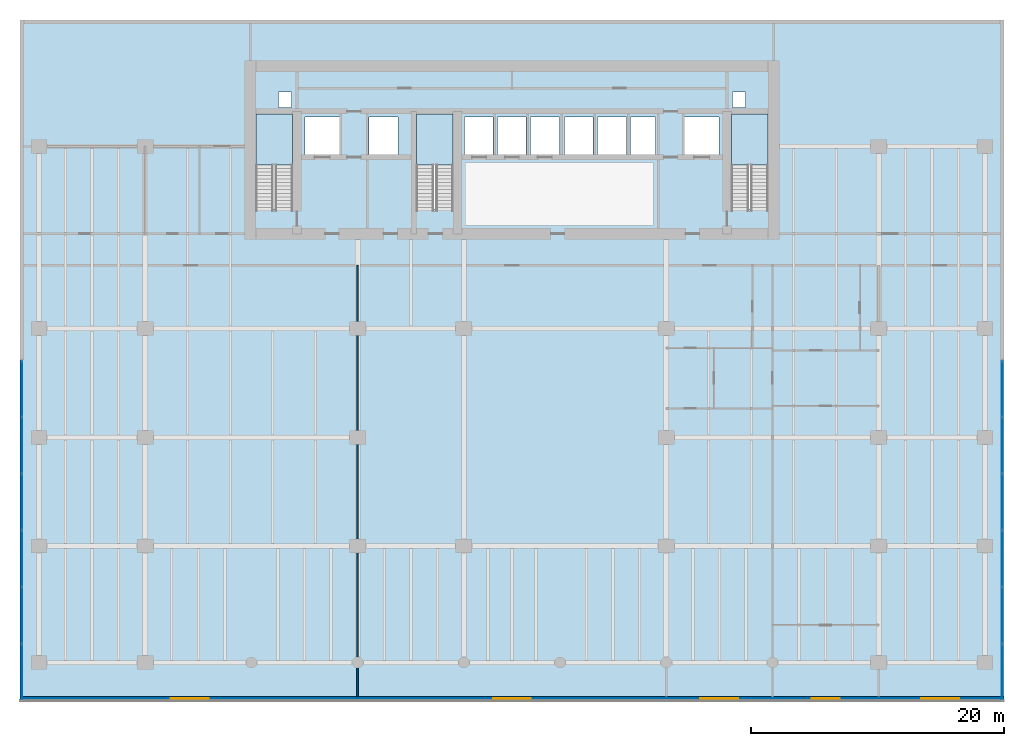
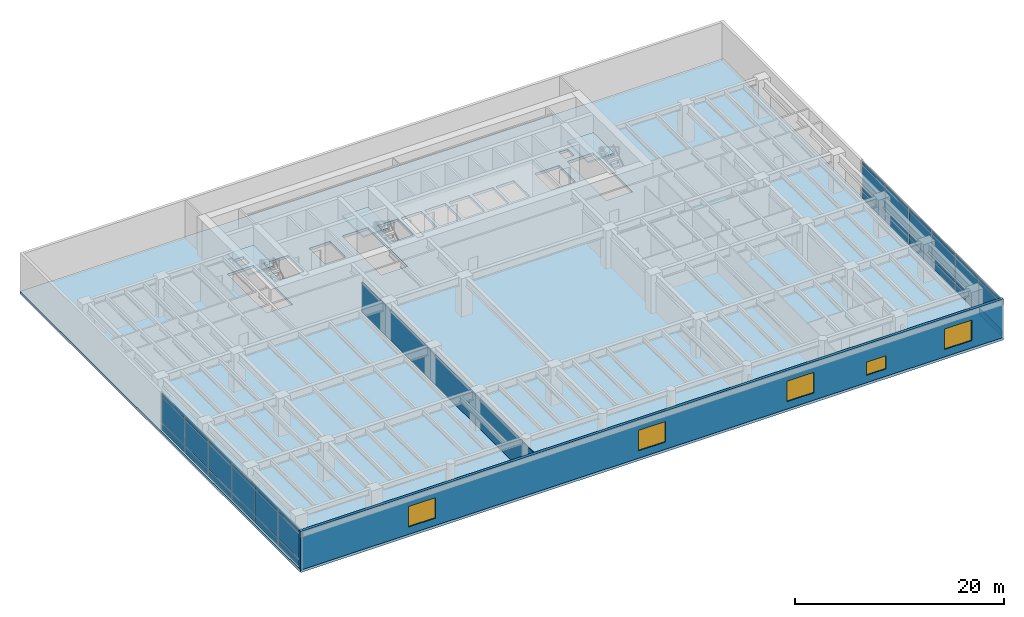
# One storey, part 5 of 13: 36 plates, 5 windows, 4 slabs, 2 walls, 5 openings, 5 elements without a shape of their own.
"""IFC4 building model written with IfcOpenShell, lengths in metres."""

import ifcopenshell
import ifcopenshell.guid

model = None  # the IFC model being written
_history = None  # IfcOwnerHistory: only IFC2X3 demands one
_inside = {}  # id of a spatial element -> (the spatial element, [elements in it])
_under = {}  # id of a project, library or spatial element -> (it, [spatial elements below it])
_declared = {}  # id of a project -> (the project, [libraries it declares])
_typed = {}  # id of a type object -> (the type object, [elements of that type])
_made_of = {}  # id of a material, layer set ... -> (it, [elements and type objects made of it])


def new_model(schema):
    """Start an empty IFC model of exactly this schema.

    Asked for "IFC4X3", IfcOpenShell would pick the latest addendum, in which some entities
    have other attributes; the version numbers below select the first issue.
    IFC2X3 requires an IfcOwnerHistory on every rooted entity: one is made here for all.
    """
    global model, _history
    if schema == "IFC4X3":
        model = ifcopenshell.file(schema_version=(4, 3, 0, 0))
    else:
        model = ifcopenshell.file(schema=schema)
    _inside.clear()
    _under.clear()
    _declared.clear()
    _typed.clear()
    _made_of.clear()
    _history = None
    if model.schema == "IFC2X3":
        org = make("IfcOrganization", Name="unknown")
        user = make(
            "IfcPersonAndOrganization",
            ThePerson=make("IfcPerson", FamilyName="unknown"),
            TheOrganization=org,
        )
        app = make(
            "IfcApplication",
            ApplicationDeveloper=org,
            Version="unknown",
            ApplicationFullName="unknown",
            ApplicationIdentifier="unknown",
        )
        _history = make(
            "IfcOwnerHistory",
            OwningUser=user,
            OwningApplication=app,
            ChangeAction="ADDED",
            CreationDate=0,
        )
    return model


def make(cls, **values):
    """One entity of the class cls with the attributes given. An attribute that is None is left unset."""
    return model.create_entity(
        cls, **{name: value for name, value in values.items() if value is not None}
    )


def rooted(cls, **values):
    """An entity with a GlobalId (a new one), such as an element, a storey or a relation."""
    return make(cls, GlobalId=ifcopenshell.guid.new(), OwnerHistory=_history, **values)


def si_unit(unit_type, name, prefix=None):
    """IfcSIUnit, for example si_unit("LENGTHUNIT", "METRE", prefix="MILLI")."""
    return make("IfcSIUnit", UnitType=unit_type, Prefix=prefix, Name=name)


def assignment(units):
    """IfcUnitAssignment: the units of a project."""
    return None if units is None else make("IfcUnitAssignment", Units=units)


def point(xyz):
    """IfcCartesianPoint."""
    return None if xyz is None else make("IfcCartesianPoint", Coordinates=xyz)


def direction(xyz):
    """IfcDirection."""
    return None if xyz is None else make("IfcDirection", DirectionRatios=xyz)


def frame(location, z_axis=None, x_axis=None):
    """IfcAxis2Placement3D, a coordinate frame: its origin and axes. An axis left out is left unset."""
    return make(
        "IfcAxis2Placement3D",
        Location=point(location),
        Axis=direction(z_axis),
        RefDirection=direction(x_axis),
    )


def frame_2d(location, x_axis=None):
    """IfcAxis2Placement2D, a coordinate frame in the plane: its origin and x axis."""
    return make(
        "IfcAxis2Placement2D", Location=point(location), RefDirection=direction(x_axis)
    )


def origin():
    """The frame at (0, 0, 0) with its axes left unset."""
    return frame((0.0, 0.0, 0.0))


def origin_2d():
    """The frame at (0, 0) in the plane with its x axis left unset."""
    return frame_2d((0.0, 0.0))


def place(relative_to, where):
    """IfcLocalPlacement: puts the frame where relative to a parent placement (None: the world)."""
    return make(
        "IfcLocalPlacement", PlacementRelTo=relative_to, RelativePlacement=where
    )


def context(
    kind, dimensions, precision=None, world=None, true_north=None, identifier=None
):
    """IfcGeometricRepresentationContext, for example the 3D "Model" context."""
    return make(
        "IfcGeometricRepresentationContext",
        ContextIdentifier=identifier,
        ContextType=kind,
        CoordinateSpaceDimension=dimensions,
        Precision=precision,
        WorldCoordinateSystem=world,
        TrueNorth=true_north,
    )


def subcontext(parent, identifier, kind, view, scale=None):
    """IfcGeometricRepresentationSubContext, for example "Body" below "Model"."""
    return make(
        "IfcGeometricRepresentationSubContext",
        ContextIdentifier=identifier,
        ContextType=kind,
        ParentContext=parent,
        TargetScale=scale,
        TargetView=view,
    )


def project(units=None, contexts=None):
    """IfcProject with its units and contexts."""
    return rooted(
        "IfcProject",
        Name="project",
        RepresentationContexts=contexts,
        UnitsInContext=assignment(units),
    )


def spatial(cls, under=None, at=None, **own):
    """A site, building, storey or space (cls), placed at a placement, below another one or the project."""
    s = rooted(cls, ObjectPlacement=at, **own)
    if under is not None:
        _under.setdefault(under.id(), (under, []))[1].append(s)
    return s


def polyline(points):
    """IfcPolyline through the points."""
    return make("IfcPolyline", Points=[point(p) for p in points])


def profile(cls, at=None, kind="AREA", **sizes):
    """A parametric profile (cls). Its sizes go by their IFC names, for example OverallWidth=200.0."""
    return make(cls, ProfileType=kind, Position=at, **sizes)


def rectangle(**sizes):
    """IfcRectangleProfileDef."""
    return profile("IfcRectangleProfileDef", **sizes)


def outline(outer, holes=None, kind="AREA"):
    """IfcArbitraryClosedProfileDef: a profile drawn as a closed curve; with holes, ...WithVoids."""
    if holes is None:
        return make("IfcArbitraryClosedProfileDef", ProfileType=kind, OuterCurve=outer)
    return make(
        "IfcArbitraryProfileDefWithVoids",
        ProfileType=kind,
        OuterCurve=outer,
        InnerCurves=holes,
    )


def extrude(swept, where, along, depth):
    """IfcExtrudedAreaSolid: the profile swept, set in the frame where, extruded along a direction by depth."""
    return make(
        "IfcExtrudedAreaSolid",
        SweptArea=swept,
        Position=where,
        ExtrudedDirection=direction(along),
        Depth=depth,
    )


def shape(context_of_items, identifier, shape_type, items):
    """IfcShapeRepresentation: the items that make up one representation, for example the "Body"."""
    return make(
        "IfcShapeRepresentation",
        ContextOfItems=context_of_items,
        RepresentationIdentifier=identifier,
        RepresentationType=shape_type,
        Items=items,
    )


def material(Name=None, Category=None):
    """IfcMaterial."""
    return make("IfcMaterial", Name=Name, Category=Category)


def layer(
    of_material, thickness, ventilated=None, Name=None, Category=None, Priority=None
):
    """IfcMaterialLayer: one layer of a wall or slab, of a material (None: an air gap)."""
    return make(
        "IfcMaterialLayer",
        Material=of_material,
        LayerThickness=thickness,
        IsVentilated=ventilated,
        Name=Name,
        Category=Category,
        Priority=Priority,
    )


def layer_set(layers, Name=None):
    """IfcMaterialLayerSet."""
    return make("IfcMaterialLayerSet", MaterialLayers=layers, LayerSetName=Name)


def made_of(thing, what):
    """Note that an element or type object is made of a material, layer set ...; save() writes the relation."""
    if what is not None:
        _made_of.setdefault(what.id(), (what, []))[1].append(thing)
    return thing


def type_object(cls, material=None, **own):
    """A type object (cls), such as IfcWallType, which elements share."""
    return made_of(rooted(cls, **own), material)


def element(
    cls,
    number,
    at=None,
    inside=None,
    cuts=None,
    type_object=None,
    material=None,
    context=None,
    identifier="Body",
    shape_type=None,
    held_by="IfcProductDefinitionShape",
    body=None,
    shapes=None,
    **own,
):
    """One element of the class cls, such as IfcWall. Its Tag is "e" and its number.

    at: its placement. inside: the storey or other place that contains it. cuts: it is an
    opening in that element (IfcRelVoidsElement). A single representation is given by context,
    identifier, shape_type and body (its items); several are given by shapes. held_by: the class
    of the entity that holds the representations. save() writes the other relations.
    """
    e = rooted(cls, Tag="e%d" % number, ObjectPlacement=at, **own)
    if body is not None:
        shapes = [shape(context, identifier, shape_type, body)]
    if shapes is not None:
        e.Representation = make(held_by, Representations=shapes)
    if inside is not None:
        _inside.setdefault(inside.id(), (inside, []))[1].append(e)
    if cuts is not None:
        rooted(
            "IfcRelVoidsElement", RelatingBuildingElement=cuts, RelatedOpeningElement=e
        )
    if type_object is not None:
        _typed.setdefault(type_object.id(), (type_object, []))[1].append(e)
    return made_of(e, material)


def fill(opening, filler):
    """IfcRelFillsElement: the door or window that sits in an opening."""
    return rooted(
        "IfcRelFillsElement",
        RelatingOpeningElement=opening,
        RelatedBuildingElement=filler,
    )


def aggregate(whole, parts):
    """IfcRelAggregates: a whole, such as a stair, and the parts it consists of."""
    return rooted("IfcRelAggregates", RelatingObject=whole, RelatedObjects=parts)


def save(model, path):
    """Write the relations noted so far, then the file.

    IfcRelAggregates (storeys below a building ...), IfcRelContainedInSpatialStructure (elements
    in a storey), IfcRelDefinesByType, IfcRelAssociatesMaterial and IfcRelDeclares: one each for
    every whole, place, type object, material and project.
    """
    for whole, parts in _under.values():
        aggregate(whole, parts)
    for where, things in _inside.values():
        rooted(
            "IfcRelContainedInSpatialStructure",
            RelatedElements=things,
            RelatingStructure=where,
        )
    for kind, things in _typed.values():
        rooted("IfcRelDefinesByType", RelatedObjects=things, RelatingType=kind)
    for what, things in _made_of.values():
        rooted("IfcRelAssociatesMaterial", RelatedObjects=things, RelatingMaterial=what)
    for by, libraries in _declared.values():
        rooted("IfcRelDeclares", RelatingContext=by, RelatedDefinitions=libraries)
    model.write(path)


model = new_model("IFC4")

# Units and contexts
model_context = context("Model", 3, precision=1e-05, world=origin(), true_north=direction((0.0, 1.0)))
body_context = subcontext(model_context, "Body", "Model", "MODEL_VIEW")
ifc_project = project(units=[si_unit("LENGTHUNIT", "METRE"), si_unit("AREAUNIT", "SQUARE_METRE"), si_unit("VOLUMEUNIT", "CUBIC_METRE"), si_unit("PLANEANGLEUNIT", "RADIAN"), si_unit("MASSUNIT", "GRAM", prefix="KILO")], contexts=[model_context])

# Site, building, storey
site_placement = place(None, origin())
site = spatial("IfcSite", under=ifc_project, at=site_placement, CompositionType="ELEMENT")
building_placement = place(site_placement, origin())
building = spatial("IfcBuilding", under=site, at=building_placement, Name="Caelmar Bay Residences", CompositionType="ELEMENT")
storey_placement = place(building_placement, frame((0.0, 0.0, 5.39990234375)))
storey = spatial("IfcBuildingStorey", under=building, at=storey_placement, Name="L01", CompositionType="ELEMENT", Elevation=5.39990234375)

# Curtain wall, plates
ifc_material_1 = material(Name="Anodised bronze aluminium 6063-T6 and laminated glass", Category="aluminium")
ifc_layer_1 = layer(ifc_material_1, 0.179931640625)
ifc_layer_set_1 = layer_set([ifc_layer_1], Name="Anodised bronze aluminium 6063-T6 and laminated glass")
curtain_wall_type = type_object("IfcCurtainWallType", Name="CW1-POD", PredefinedType="NOTDEFINED", material=ifc_layer_set_1)
curtain_wall_1_placement = place(storey_placement, origin())
curtain_wall_1 = element("IfcCurtainWall", 1, at=curtain_wall_1_placement, inside=storey, type_object=curtain_wall_type, Name="CW1 curtain wall L01", PredefinedType="NOTDEFINED")
ifc_material_2 = material(Name="Bronze-tinted laminated low-E hurricane glass 32 mm", Category="glass")
ifc_layer_2 = layer(ifc_material_2, 0.031982421875)
ifc_layer_set_2 = layer_set([ifc_layer_2], Name="Bronze-tinted laminated low-E hurricane glass 32 mm")
plate_type = type_object("IfcPlateType", Name="CWP-GLZ32", PredefinedType="CURTAIN_PANEL", material=ifc_layer_set_2)
plate_1_placement = place(storey_placement, frame((0.14990234375, 2.26171875, 0.080078125), z_axis=(0.0, 0.0, 1.0), x_axis=(0.0, 1.0, 0.0)))
plate_1 = element("IfcPlate", 2, at=plate_1_placement, type_object=plate_type, Name="CW1 panel 1.1", PredefinedType="CURTAIN_PANEL", context=body_context, shape_type="SweptSolid", body=[
    extrude(rectangle(XDim=4.36328125, YDim=0.031982421875, at=origin_2d()), origin(), (0.0, 0.0, 1.0), 0.780029296875),
])
plate_2_placement = place(storey_placement, frame((0.14990234375, 2.26171875, 0.93994140625), z_axis=(0.0, 0.0, 1.0), x_axis=(0.0, 1.0, 0.0)))
plate_2 = element("IfcPlate", 3, at=plate_2_placement, type_object=plate_type, Name="CW1 panel 1.2", PredefinedType="CURTAIN_PANEL", context=body_context, shape_type="SweptSolid", body=[
    extrude(rectangle(XDim=4.36328125, YDim=0.031982421875, at=origin_2d()), origin(), (0.0, 0.0, 1.0), 2.969970703125),
])
plate_3_placement = place(storey_placement, frame((0.14990234375, 2.26171875, 3.990234375), z_axis=(0.0, 0.0, 1.0), x_axis=(0.0, 1.0, 0.0)))
plate_3 = element("IfcPlate", 4, at=plate_3_placement, type_object=plate_type, Name="CW1 panel 1.3", PredefinedType="CURTAIN_PANEL", context=body_context, shape_type="SweptSolid", body=[
    extrude(rectangle(XDim=4.36328125, YDim=0.031982421875, at=origin_2d()), origin(), (0.0, 0.0, 1.0), 0.429931640625),
])
plate_4_placement = place(storey_placement, frame((0.14990234375, 6.72509765625, 0.080078125), z_axis=(0.0, 0.0, 1.0), x_axis=(0.0, 1.0, 0.0)))
plate_4 = element("IfcPlate", 5, at=plate_4_placement, type_object=plate_type, Name="CW1 panel 2.1", PredefinedType="CURTAIN_PANEL", context=body_context, shape_type="SweptSolid", body=[
    extrude(rectangle(XDim=4.4033203125, YDim=0.031982421875, at=origin_2d()), origin(), (0.0, 0.0, 1.0), 0.780029296875),
])
plate_5_placement = place(storey_placement, frame((0.14990234375, 6.72509765625, 0.93994140625), z_axis=(0.0, 0.0, 1.0), x_axis=(0.0, 1.0, 0.0)))
plate_5 = element("IfcPlate", 6, at=plate_5_placement, type_object=plate_type, Name="CW1 panel 2.2", PredefinedType="CURTAIN_PANEL", context=body_context, shape_type="SweptSolid", body=[
    extrude(rectangle(XDim=4.4033203125, YDim=0.031982421875, at=origin_2d()), origin(), (0.0, 0.0, 1.0), 2.969970703125),
])
plate_6_placement = place(storey_placement, frame((0.14990234375, 6.72509765625, 3.990234375), z_axis=(0.0, 0.0, 1.0), x_axis=(0.0, 1.0, 0.0)))
plate_6 = element("IfcPlate", 7, at=plate_6_placement, type_object=plate_type, Name="CW1 panel 2.3", PredefinedType="CURTAIN_PANEL", context=body_context, shape_type="SweptSolid", body=[
    extrude(rectangle(XDim=4.4033203125, YDim=0.031982421875, at=origin_2d()), origin(), (0.0, 0.0, 1.0), 0.429931640625),
])
plate_7_placement = place(storey_placement, frame((0.14990234375, 11.208251953125, 0.080078125), z_axis=(0.0, 0.0, 1.0), x_axis=(0.0, 1.0, 0.0)))
plate_7 = element("IfcPlate", 8, at=plate_7_placement, type_object=plate_type, Name="CW1 panel 3.1", PredefinedType="CURTAIN_PANEL", context=body_context, shape_type="SweptSolid", body=[
    extrude(rectangle(XDim=4.4033203125, YDim=0.031982421875, at=origin_2d()), origin(), (0.0, 0.0, 1.0), 0.780029296875),
])
plate_8_placement = place(storey_placement, frame((0.14990234375, 11.208251953125, 0.93994140625), z_axis=(0.0, 0.0, 1.0), x_axis=(0.0, 1.0, 0.0)))
plate_8 = element("IfcPlate", 9, at=plate_8_placement, type_object=plate_type, Name="CW1 panel 3.2", PredefinedType="CURTAIN_PANEL", context=body_context, shape_type="SweptSolid", body=[
    extrude(rectangle(XDim=4.4033203125, YDim=0.031982421875, at=origin_2d()), origin(), (0.0, 0.0, 1.0), 2.969970703125),
])
plate_9_placement = place(storey_placement, frame((0.14990234375, 11.208251953125, 3.990234375), z_axis=(0.0, 0.0, 1.0), x_axis=(0.0, 1.0, 0.0)))
plate_9 = element("IfcPlate", 10, at=plate_9_placement, type_object=plate_type, Name="CW1 panel 3.3", PredefinedType="CURTAIN_PANEL", context=body_context, shape_type="SweptSolid", body=[
    extrude(rectangle(XDim=4.4033203125, YDim=0.031982421875, at=origin_2d()), origin(), (0.0, 0.0, 1.0), 0.429931640625),
])
plate_10_placement = place(storey_placement, frame((0.14990234375, 15.691650390625, 0.080078125), z_axis=(0.0, 0.0, 1.0), x_axis=(0.0, 1.0, 0.0)))
plate_10 = element("IfcPlate", 11, at=plate_10_placement, type_object=plate_type, Name="CW1 panel 4.1", PredefinedType="CURTAIN_PANEL", context=body_context, shape_type="SweptSolid", body=[
    extrude(rectangle(XDim=4.4033203125, YDim=0.031982421875, at=origin_2d()), origin(), (0.0, 0.0, 1.0), 0.780029296875),
])
plate_11_placement = place(storey_placement, frame((0.14990234375, 15.691650390625, 0.93994140625), z_axis=(0.0, 0.0, 1.0), x_axis=(0.0, 1.0, 0.0)))
plate_11 = element("IfcPlate", 12, at=plate_11_placement, type_object=plate_type, Name="CW1 panel 4.2", PredefinedType="CURTAIN_PANEL", context=body_context, shape_type="SweptSolid", body=[
    extrude(rectangle(XDim=4.4033203125, YDim=0.031982421875, at=origin_2d()), origin(), (0.0, 0.0, 1.0), 2.969970703125),
])
plate_12_placement = place(storey_placement, frame((0.14990234375, 15.691650390625, 3.990234375), z_axis=(0.0, 0.0, 1.0), x_axis=(0.0, 1.0, 0.0)))
plate_12 = element("IfcPlate", 13, at=plate_12_placement, type_object=plate_type, Name="CW1 panel 4.3", PredefinedType="CURTAIN_PANEL", context=body_context, shape_type="SweptSolid", body=[
    extrude(rectangle(XDim=4.4033203125, YDim=0.031982421875, at=origin_2d()), origin(), (0.0, 0.0, 1.0), 0.429931640625),
])
plate_13_placement = place(storey_placement, frame((0.14990234375, 20.175048828125, 0.080078125), z_axis=(0.0, 0.0, 1.0), x_axis=(0.0, 1.0, 0.0)))
plate_13 = element("IfcPlate", 14, at=plate_13_placement, type_object=plate_type, Name="CW1 panel 5.1", PredefinedType="CURTAIN_PANEL", context=body_context, shape_type="SweptSolid", body=[
    extrude(rectangle(XDim=4.4033203125, YDim=0.031982421875, at=origin_2d()), origin(), (0.0, 0.0, 1.0), 0.780029296875),
])
plate_14_placement = place(storey_placement, frame((0.14990234375, 20.175048828125, 0.93994140625), z_axis=(0.0, 0.0, 1.0), x_axis=(0.0, 1.0, 0.0)))
plate_14 = element("IfcPlate", 15, at=plate_14_placement, type_object=plate_type, Name="CW1 panel 5.2", PredefinedType="CURTAIN_PANEL", context=body_context, shape_type="SweptSolid", body=[
    extrude(rectangle(XDim=4.4033203125, YDim=0.031982421875, at=origin_2d()), origin(), (0.0, 0.0, 1.0), 2.969970703125),
])
plate_15_placement = place(storey_placement, frame((0.14990234375, 20.175048828125, 3.990234375), z_axis=(0.0, 0.0, 1.0), x_axis=(0.0, 1.0, 0.0)))
plate_15 = element("IfcPlate", 16, at=plate_15_placement, type_object=plate_type, Name="CW1 panel 5.3", PredefinedType="CURTAIN_PANEL", context=body_context, shape_type="SweptSolid", body=[
    extrude(rectangle(XDim=4.4033203125, YDim=0.031982421875, at=origin_2d()), origin(), (0.0, 0.0, 1.0), 0.429931640625),
])
plate_16_placement = place(storey_placement, frame((0.14990234375, 24.638427734375, 0.080078125), z_axis=(0.0, 0.0, 1.0), x_axis=(0.0, 1.0, 0.0)))
plate_16 = element("IfcPlate", 17, at=plate_16_placement, type_object=plate_type, Name="CW1 panel 6.1", PredefinedType="CURTAIN_PANEL", context=body_context, shape_type="SweptSolid", body=[
    extrude(rectangle(XDim=4.36328125, YDim=0.031982421875, at=origin_2d()), origin(), (0.0, 0.0, 1.0), 0.780029296875),
])
plate_17_placement = place(storey_placement, frame((0.14990234375, 24.638427734375, 0.93994140625), z_axis=(0.0, 0.0, 1.0), x_axis=(0.0, 1.0, 0.0)))
plate_17 = element("IfcPlate", 18, at=plate_17_placement, type_object=plate_type, Name="CW1 panel 6.2", PredefinedType="CURTAIN_PANEL", context=body_context, shape_type="SweptSolid", body=[
    extrude(rectangle(XDim=4.36328125, YDim=0.031982421875, at=origin_2d()), origin(), (0.0, 0.0, 1.0), 2.969970703125),
])
plate_18_placement = place(storey_placement, frame((0.14990234375, 24.638427734375, 3.990234375), z_axis=(0.0, 0.0, 1.0), x_axis=(0.0, 1.0, 0.0)))
plate_18 = element("IfcPlate", 19, at=plate_18_placement, type_object=plate_type, Name="CW1 panel 6.3", PredefinedType="CURTAIN_PANEL", context=body_context, shape_type="SweptSolid", body=[
    extrude(rectangle(XDim=4.36328125, YDim=0.031982421875, at=origin_2d()), origin(), (0.0, 0.0, 1.0), 0.429931640625),
])
aggregate(curtain_wall_1, [plate_1, plate_2, plate_3, plate_4, plate_5, plate_6, plate_7, plate_8, plate_9, plate_10, plate_11, plate_12, plate_13, plate_14, plate_15, plate_16, plate_17, plate_18])

curtain_wall_2_placement = place(storey_placement, origin())
curtain_wall_2 = element("IfcCurtainWall", 20, at=curtain_wall_2_placement, inside=storey, type_object=curtain_wall_type, Name="CW1 curtain wall L01", PredefinedType="NOTDEFINED")
plate_19_placement = place(storey_placement, frame((77.64990234375, 24.638427734375, 0.080078125), z_axis=(0.0, 0.0, 1.0), x_axis=(0.0, -1.0, 0.0)))
plate_19 = element("IfcPlate", 21, at=plate_19_placement, type_object=plate_type, Name="CW1 panel 1.1", PredefinedType="CURTAIN_PANEL", context=body_context, shape_type="SweptSolid", body=[
    extrude(rectangle(XDim=4.36328125, YDim=0.031982421875, at=origin_2d()), origin(), (0.0, 0.0, 1.0), 0.780029296875),
])
plate_20_placement = place(storey_placement, frame((77.64990234375, 24.638427734375, 0.93994140625), z_axis=(0.0, 0.0, 1.0), x_axis=(0.0, -1.0, 0.0)))
plate_20 = element("IfcPlate", 22, at=plate_20_placement, type_object=plate_type, Name="CW1 panel 1.2", PredefinedType="CURTAIN_PANEL", context=body_context, shape_type="SweptSolid", body=[
    extrude(rectangle(XDim=4.36328125, YDim=0.031982421875, at=origin_2d()), origin(), (0.0, 0.0, 1.0), 2.969970703125),
])
plate_21_placement = place(storey_placement, frame((77.64990234375, 24.638427734375, 3.990234375), z_axis=(0.0, 0.0, 1.0), x_axis=(0.0, -1.0, 0.0)))
plate_21 = element("IfcPlate", 23, at=plate_21_placement, type_object=plate_type, Name="CW1 panel 1.3", PredefinedType="CURTAIN_PANEL", context=body_context, shape_type="SweptSolid", body=[
    extrude(rectangle(XDim=4.36328125, YDim=0.031982421875, at=origin_2d()), origin(), (0.0, 0.0, 1.0), 0.429931640625),
])
plate_22_placement = place(storey_placement, frame((77.64990234375, 20.175048828125, 0.080078125), z_axis=(0.0, 0.0, 1.0), x_axis=(0.0, -1.0, 0.0)))
plate_22 = element("IfcPlate", 24, at=plate_22_placement, type_object=plate_type, Name="CW1 panel 2.1", PredefinedType="CURTAIN_PANEL", context=body_context, shape_type="SweptSolid", body=[
    extrude(rectangle(XDim=4.4033203125, YDim=0.031982421875, at=origin_2d()), origin(), (0.0, 0.0, 1.0), 0.780029296875),
])
plate_23_placement = place(storey_placement, frame((77.64990234375, 20.175048828125, 0.93994140625), z_axis=(0.0, 0.0, 1.0), x_axis=(0.0, -1.0, 0.0)))
plate_23 = element("IfcPlate", 25, at=plate_23_placement, type_object=plate_type, Name="CW1 panel 2.2", PredefinedType="CURTAIN_PANEL", context=body_context, shape_type="SweptSolid", body=[
    extrude(rectangle(XDim=4.4033203125, YDim=0.031982421875, at=origin_2d()), origin(), (0.0, 0.0, 1.0), 2.969970703125),
])
plate_24_placement = place(storey_placement, frame((77.64990234375, 20.175048828125, 3.990234375), z_axis=(0.0, 0.0, 1.0), x_axis=(0.0, -1.0, 0.0)))
plate_24 = element("IfcPlate", 26, at=plate_24_placement, type_object=plate_type, Name="CW1 panel 2.3", PredefinedType="CURTAIN_PANEL", context=body_context, shape_type="SweptSolid", body=[
    extrude(rectangle(XDim=4.4033203125, YDim=0.031982421875, at=origin_2d()), origin(), (0.0, 0.0, 1.0), 0.429931640625),
])
plate_25_placement = place(storey_placement, frame((77.64990234375, 15.691650390625, 0.080078125), z_axis=(0.0, 0.0, 1.0), x_axis=(0.0, -1.0, 0.0)))
plate_25 = element("IfcPlate", 27, at=plate_25_placement, type_object=plate_type, Name="CW1 panel 3.1", PredefinedType="CURTAIN_PANEL", context=body_context, shape_type="SweptSolid", body=[
    extrude(rectangle(XDim=4.4033203125, YDim=0.031982421875, at=origin_2d()), origin(), (0.0, 0.0, 1.0), 0.780029296875),
])
plate_26_placement = place(storey_placement, frame((77.64990234375, 15.691650390625, 0.93994140625), z_axis=(0.0, 0.0, 1.0), x_axis=(0.0, -1.0, 0.0)))
plate_26 = element("IfcPlate", 28, at=plate_26_placement, type_object=plate_type, Name="CW1 panel 3.2", PredefinedType="CURTAIN_PANEL", context=body_context, shape_type="SweptSolid", body=[
    extrude(rectangle(XDim=4.4033203125, YDim=0.031982421875, at=origin_2d()), origin(), (0.0, 0.0, 1.0), 2.969970703125),
])
plate_27_placement = place(storey_placement, frame((77.64990234375, 15.691650390625, 3.990234375), z_axis=(0.0, 0.0, 1.0), x_axis=(0.0, -1.0, 0.0)))
plate_27 = element("IfcPlate", 29, at=plate_27_placement, type_object=plate_type, Name="CW1 panel 3.3", PredefinedType="CURTAIN_PANEL", context=body_context, shape_type="SweptSolid", body=[
    extrude(rectangle(XDim=4.4033203125, YDim=0.031982421875, at=origin_2d()), origin(), (0.0, 0.0, 1.0), 0.429931640625),
])
plate_28_placement = place(storey_placement, frame((77.64990234375, 11.208251953125, 0.080078125), z_axis=(0.0, 0.0, 1.0), x_axis=(0.0, -1.0, 0.0)))
plate_28 = element("IfcPlate", 30, at=plate_28_placement, type_object=plate_type, Name="CW1 panel 4.1", PredefinedType="CURTAIN_PANEL", context=body_context, shape_type="SweptSolid", body=[
    extrude(rectangle(XDim=4.4033203125, YDim=0.031982421875, at=origin_2d()), origin(), (0.0, 0.0, 1.0), 0.780029296875),
])
plate_29_placement = place(storey_placement, frame((77.64990234375, 11.208251953125, 0.93994140625), z_axis=(0.0, 0.0, 1.0), x_axis=(0.0, -1.0, 0.0)))
plate_29 = element("IfcPlate", 31, at=plate_29_placement, type_object=plate_type, Name="CW1 panel 4.2", PredefinedType="CURTAIN_PANEL", context=body_context, shape_type="SweptSolid", body=[
    extrude(rectangle(XDim=4.4033203125, YDim=0.031982421875, at=origin_2d()), origin(), (0.0, 0.0, 1.0), 2.969970703125),
])
plate_30_placement = place(storey_placement, frame((77.64990234375, 11.208251953125, 3.990234375), z_axis=(0.0, 0.0, 1.0), x_axis=(0.0, -1.0, 0.0)))
plate_30 = element("IfcPlate", 32, at=plate_30_placement, type_object=plate_type, Name="CW1 panel 4.3", PredefinedType="CURTAIN_PANEL", context=body_context, shape_type="SweptSolid", body=[
    extrude(rectangle(XDim=4.4033203125, YDim=0.031982421875, at=origin_2d()), origin(), (0.0, 0.0, 1.0), 0.429931640625),
])
plate_31_placement = place(storey_placement, frame((77.64990234375, 6.72509765625, 0.080078125), z_axis=(0.0, 0.0, 1.0), x_axis=(0.0, -1.0, 0.0)))
plate_31 = element("IfcPlate", 33, at=plate_31_placement, type_object=plate_type, Name="CW1 panel 5.1", PredefinedType="CURTAIN_PANEL", context=body_context, shape_type="SweptSolid", body=[
    extrude(rectangle(XDim=4.4033203125, YDim=0.031982421875, at=origin_2d()), origin(), (0.0, 0.0, 1.0), 0.780029296875),
])
plate_32_placement = place(storey_placement, frame((77.64990234375, 6.72509765625, 0.93994140625), z_axis=(0.0, 0.0, 1.0), x_axis=(0.0, -1.0, 0.0)))
plate_32 = element("IfcPlate", 34, at=plate_32_placement, type_object=plate_type, Name="CW1 panel 5.2", PredefinedType="CURTAIN_PANEL", context=body_context, shape_type="SweptSolid", body=[
    extrude(rectangle(XDim=4.4033203125, YDim=0.031982421875, at=origin_2d()), origin(), (0.0, 0.0, 1.0), 2.969970703125),
])
plate_33_placement = place(storey_placement, frame((77.64990234375, 6.72509765625, 3.990234375), z_axis=(0.0, 0.0, 1.0), x_axis=(0.0, -1.0, 0.0)))
plate_33 = element("IfcPlate", 35, at=plate_33_placement, type_object=plate_type, Name="CW1 panel 5.3", PredefinedType="CURTAIN_PANEL", context=body_context, shape_type="SweptSolid", body=[
    extrude(rectangle(XDim=4.4033203125, YDim=0.031982421875, at=origin_2d()), origin(), (0.0, 0.0, 1.0), 0.429931640625),
])
plate_34_placement = place(storey_placement, frame((77.64990234375, 2.26171875, 0.080078125), z_axis=(0.0, 0.0, 1.0), x_axis=(0.0, -1.0, 0.0)))
plate_34 = element("IfcPlate", 36, at=plate_34_placement, type_object=plate_type, Name="CW1 panel 6.1", PredefinedType="CURTAIN_PANEL", context=body_context, shape_type="SweptSolid", body=[
    extrude(rectangle(XDim=4.36328125, YDim=0.031982421875, at=origin_2d()), origin(), (0.0, 0.0, 1.0), 0.780029296875),
])
plate_35_placement = place(storey_placement, frame((77.64990234375, 2.26171875, 0.93994140625), z_axis=(0.0, 0.0, 1.0), x_axis=(0.0, -1.0, 0.0)))
plate_35 = element("IfcPlate", 37, at=plate_35_placement, type_object=plate_type, Name="CW1 panel 6.2", PredefinedType="CURTAIN_PANEL", context=body_context, shape_type="SweptSolid", body=[
    extrude(rectangle(XDim=4.36328125, YDim=0.031982421875, at=origin_2d()), origin(), (0.0, 0.0, 1.0), 2.969970703125),
])
plate_36_placement = place(storey_placement, frame((77.64990234375, 2.26171875, 3.990234375), z_axis=(0.0, 0.0, 1.0), x_axis=(0.0, -1.0, 0.0)))
plate_36 = element("IfcPlate", 38, at=plate_36_placement, type_object=plate_type, Name="CW1 panel 6.3", PredefinedType="CURTAIN_PANEL", context=body_context, shape_type="SweptSolid", body=[
    extrude(rectangle(XDim=4.36328125, YDim=0.031982421875, at=origin_2d()), origin(), (0.0, 0.0, 1.0), 0.429931640625),
])
aggregate(curtain_wall_2, [plate_19, plate_20, plate_21, plate_22, plate_23, plate_24, plate_25, plate_26, plate_27, plate_28, plate_29, plate_30, plate_31, plate_32, plate_33, plate_34, plate_35, plate_36])

# Stair, slab
ifc_material_3 = material(Name="Concrete f'c 40 MPa (6,000 psi)", Category="concrete")
stair_type = type_object("IfcStairType", Name="ST-TAL-170", PredefinedType="HALF_TURN_STAIR", material=ifc_material_3)
stair_1_placement = place(storey_placement, origin())
stair_1 = element("IfcStair", 39, at=stair_1_placement, inside=storey, type_object=stair_type, Name="L01 West Smokeproof Exit Stair ST1", PredefinedType="HALF_TURN_STAIR")
ifc_layer_3 = layer(ifc_material_3, 0.199951171875)
ifc_layer_set_3 = layer_set([ifc_layer_3], Name="Concrete f'c 40 MPa (6,000 psi)")
slab_type_1 = type_object("IfcSlabType", Name="SLB-LND-200", PredefinedType="LANDING", material=ifc_layer_set_3)
slab_1_placement = place(storey_placement, frame((0.0, 0.0, 2.2001953125)))
slab_1 = element("IfcSlab", 40, at=slab_1_placement, type_object=slab_type_1, Name="ST1 landing 1", PredefinedType="LANDING", context=body_context, shape_type="SweptSolid", body=[
    extrude(outline(polyline([(21.550048828125, 42.340087890625), (21.550048828125, 46.35009765625), (18.64990234375, 46.35009765625), (18.64990234375, 42.340087890625), (21.550048828125, 42.340087890625)])), origin(), (0.0, 0.0, 1.0), 0.199951171875),
])
aggregate(stair_1, [slab_1])

stair_2_placement = place(storey_placement, origin())
stair_2 = element("IfcStair", 41, at=stair_2_placement, inside=storey, type_object=stair_type, Name="L01 East Smokeproof Exit Stair ST2", PredefinedType="HALF_TURN_STAIR")
slab_2_placement = place(storey_placement, frame((0.0, 0.0, 2.2001953125)))
slab_2 = element("IfcSlab", 42, at=slab_2_placement, type_object=slab_type_1, Name="ST2 landing 1", PredefinedType="LANDING", context=body_context, shape_type="SweptSolid", body=[
    extrude(outline(polyline([(59.14990234375, 42.340087890625), (59.14990234375, 46.35009765625), (56.25, 46.35009765625), (56.25, 42.340087890625), (59.14990234375, 42.340087890625)])), origin(), (0.0, 0.0, 1.0), 0.199951171875),
])
aggregate(stair_2, [slab_2])

stair_3_placement = place(storey_placement, origin())
stair_3 = element("IfcStair", 43, at=stair_3_placement, inside=storey, type_object=stair_type, Name="L01 Central Smokeproof Exit Stair ST3", PredefinedType="HALF_TURN_STAIR")
slab_3_placement = place(storey_placement, frame((0.0, 0.0, 2.2001953125)))
slab_3 = element("IfcSlab", 44, at=slab_3_placement, type_object=slab_type_1, Name="ST3 landing 1", PredefinedType="LANDING", context=body_context, shape_type="SweptSolid", body=[
    extrude(outline(polyline([(34.25, 42.340087890625), (34.25, 46.35009765625), (31.35009765625, 46.35009765625), (31.35009765625, 42.340087890625), (34.25, 42.340087890625)])), origin(), (0.0, 0.0, 1.0), 0.199951171875),
])
aggregate(stair_3, [slab_3])

# Slab
ifc_layer_4 = layer(ifc_material_3, 0.300048828125)
ifc_layer_set_4 = layer_set([ifc_layer_4], Name="Concrete f'c 40 MPa (6,000 psi)")
slab_type_2 = type_object("IfcSlabType", Name="SLB-POD-300", PredefinedType="FLOOR", material=ifc_layer_set_4)
slab_4_placement = place(storey_placement, frame((0.0, 0.0, -0.2998046875)))
element("IfcSlab", 45, at=slab_4_placement, inside=storey, type_object=slab_type_2, Name="L01 Structural Floor Slab", PredefinedType="FLOOR", context=body_context, shape_type="SweptSolid", body=[
    extrude(outline(polyline([(0.0, 0.0), (77.800048828125, 0.0), (77.800048828125, 53.800048828125), (0.0, 53.800048828125), (0.0, 0.0)]), holes=[polyline([(18.64990234375, 38.85009765625), (21.550048828125, 38.85009765625), (21.550048828125, 46.35009765625), (18.64990234375, 46.35009765625), (18.64990234375, 38.85009765625)]), polyline([(56.25, 38.85009765625), (59.14990234375, 38.85009765625), (59.14990234375, 46.35009765625), (56.25, 46.35009765625), (56.25, 38.85009765625)]), polyline([(31.35009765625, 38.85009765625), (34.25, 38.85009765625), (34.25, 46.35009765625), (31.35009765625, 46.35009765625), (31.35009765625, 38.85009765625)]), polyline([(22.550048828125, 43.050048828125), (25.25, 43.050048828125), (25.25, 46.14990234375), (22.550048828125, 46.14990234375), (22.550048828125, 43.050048828125)]), polyline([(52.550048828125, 43.050048828125), (55.25, 43.050048828125), (55.25, 46.14990234375), (52.550048828125, 46.14990234375), (52.550048828125, 43.050048828125)]), polyline([(35.14990234375, 43.14990234375), (37.39990234375, 43.14990234375), (37.39990234375, 46.14990234375), (35.14990234375, 46.14990234375), (35.14990234375, 43.14990234375)]), polyline([(37.75, 43.14990234375), (40.0, 43.14990234375), (40.0, 46.14990234375), (37.75, 46.14990234375), (37.75, 43.14990234375)]), polyline([(40.35009765625, 43.14990234375), (42.64990234375, 43.14990234375), (42.64990234375, 46.14990234375), (40.35009765625, 46.14990234375), (40.35009765625, 43.14990234375)]), polyline([(43.050048828125, 43.14990234375), (45.300048828125, 43.14990234375), (45.300048828125, 46.14990234375), (43.050048828125, 46.14990234375), (43.050048828125, 43.14990234375)]), polyline([(45.64990234375, 43.14990234375), (47.949951171875, 43.14990234375), (47.949951171875, 46.14990234375), (45.64990234375, 46.14990234375), (45.64990234375, 43.14990234375)]), polyline([(48.25, 43.14990234375), (50.25, 43.14990234375), (50.25, 46.14990234375), (48.25, 46.14990234375), (48.25, 43.14990234375)]), polyline([(27.60009765625, 43.14990234375), (29.89990234375, 43.14990234375), (29.89990234375, 46.14990234375), (27.60009765625, 46.14990234375), (27.60009765625, 43.14990234375)]), polyline([(20.449951171875, 46.89990234375), (21.449951171875, 46.89990234375), (21.449951171875, 48.10009765625), (20.449951171875, 48.10009765625), (20.449951171875, 46.89990234375)]), polyline([(56.35009765625, 46.89990234375), (57.35009765625, 46.89990234375), (57.35009765625, 48.10009765625), (56.35009765625, 48.10009765625), (56.35009765625, 46.89990234375)])]), origin(), (0.0, 0.0, 1.0), 0.2998046875),
])

# Wall, openings, windows
ifc_material_4 = material(Name="Precast concrete f'c 40 MPa (6,000 psi)", Category="concrete")
ifc_layer_5 = layer(ifc_material_4, 0.300048828125)
ifc_layer_set_5 = layer_set([ifc_layer_5], Name="Precast concrete f'c 40 MPa (6,000 psi)")
wall_type_1 = type_object("IfcWallType", Name="W-EXT-300", PredefinedType="STANDARD", material=ifc_layer_set_5)
wall_1_placement = place(storey_placement, frame((77.800048828125, 0.14990234375, 0.0), z_axis=(0.0, 0.0, 1.0), x_axis=(-1.0, 0.0, 0.0)))
wall_1 = element("IfcWall", 46, at=wall_1_placement, inside=storey, type_object=wall_type_1, Name="L01 South Bayfront Exterior Wall", PredefinedType="STANDARD", context=body_context, shape_type="SweptSolid", body=[
    extrude(rectangle(XDim=77.800048828125, YDim=0.300048828125, at=frame_2d((38.89990234375, 0.0))), origin(), (0.0, 0.0, 1.0), 4.5),
])
opening_1_placement = place(wall_1_placement, frame((62.875, 0.0, 0.85009765625)))
opening_1 = element("IfcOpeningElement", 47, at=opening_1_placement, cuts=wall_1, Name="Opening WN4", PredefinedType="OPENING", context=body_context, shape_type="SweptSolid", body=[
    extrude(rectangle(XDim=3.0, YDim=2.39990234375, at=frame_2d((1.5, 1.199951171875))), frame((0.0, 0.159912109375, 0.0), z_axis=(0.0, -1.0, 0.0), x_axis=(1.0, 0.0, 0.0)), (0.0, 0.0, 1.0), 0.320068359375),
])
opening_2_placement = place(wall_1_placement, frame((37.39990234375, 0.0, 0.85009765625)))
opening_2 = element("IfcOpeningElement", 48, at=opening_2_placement, cuts=wall_1, Name="Opening WN4", PredefinedType="OPENING", context=body_context, shape_type="SweptSolid", body=[
    extrude(rectangle(XDim=3.0, YDim=2.39990234375, at=frame_2d((1.5, 1.199951171875))), frame((0.0, 0.159912109375, 0.0), z_axis=(0.0, -1.0, 0.0), x_axis=(1.0, 0.0, 0.0)), (0.0, 0.0, 1.0), 0.320068359375),
])
opening_3_placement = place(wall_1_placement, frame((21.0, 0.0, 0.85009765625)))
opening_3 = element("IfcOpeningElement", 49, at=opening_3_placement, cuts=wall_1, Name="Opening WN4", PredefinedType="OPENING", context=body_context, shape_type="SweptSolid", body=[
    extrude(rectangle(XDim=3.0, YDim=2.39990234375, at=frame_2d((1.5, 1.199951171875))), frame((0.0, 0.159912109375, 0.0), z_axis=(0.0, -1.0, 0.0), x_axis=(1.0, 0.0, 0.0)), (0.0, 0.0, 1.0), 0.320068359375),
])
opening_4_placement = place(wall_1_placement, frame((13.0, 0.0, 0.85009765625)))
opening_4 = element("IfcOpeningElement", 50, at=opening_4_placement, cuts=wall_1, Name="Opening WN2", PredefinedType="OPENING", context=body_context, shape_type="SweptSolid", body=[
    extrude(rectangle(XDim=2.199951171875, YDim=1.550048828125, at=frame_2d((1.10009765625, 0.77490234375))), frame((0.0, 0.159912109375, 0.0), z_axis=(0.0, -1.0, 0.0), x_axis=(1.0, 0.0, 0.0)), (0.0, 0.0, 1.0), 0.320068359375),
])
opening_5_placement = place(wall_1_placement, frame((3.52490234375, 0.0, 0.85009765625)))
opening_5 = element("IfcOpeningElement", 51, at=opening_5_placement, cuts=wall_1, Name="Opening WN4", PredefinedType="OPENING", context=body_context, shape_type="SweptSolid", body=[
    extrude(rectangle(XDim=3.0, YDim=2.39990234375, at=frame_2d((1.5, 1.199951171875))), frame((0.0, 0.159912109375, 0.0), z_axis=(0.0, -1.0, 0.0), x_axis=(1.0, 0.0, 0.0)), (0.0, 0.0, 1.0), 0.320068359375),
])
ifc_material_5 = material(Name="Bronze aluminium frame with laminated low-E glass", Category="aluminium")
ifc_layer_6 = layer(ifc_material_5, 0.06005859375)
ifc_layer_set_6 = layer_set([ifc_layer_6], Name="Bronze aluminium frame with laminated low-E glass")
window_type_1 = type_object("IfcWindowType", Name="WIN-BR-2200", PartitioningType="SINGLE_PANEL", PredefinedType="WINDOW", material=ifc_layer_set_6)
window_1_placement = place(opening_4_placement, origin())
window_1 = element("IfcWindow", 52, at=window_1_placement, inside=storey, type_object=window_type_1, Name="L01 Residence 1A Primary Bedroom 1 Window", OverallHeight=1.550048828125, OverallWidth=2.199951171875, PartitioningType="SINGLE_PANEL", PredefinedType="WINDOW", context=body_context, shape_type="SweptSolid", body=[
    extrude(rectangle(XDim=2.199951171875, YDim=1.550048828125, at=frame_2d((1.10009765625, 0.77490234375))), frame((0.0, 0.030029296875, 0.0), z_axis=(0.0, -1.0, 0.0), x_axis=(1.0, 0.0, 0.0)), (0.0, 0.0, 1.0), 0.06005859375),
])
fill(opening_4, window_1)
ifc_layer_7 = layer(ifc_material_5, 0.06005859375)
ifc_layer_set_7 = layer_set([ifc_layer_7], Name="Bronze aluminium frame with laminated low-E glass")
window_type_2 = type_object("IfcWindowType", Name="WIN-POD-3000", PartitioningType="SINGLE_PANEL", PredefinedType="WINDOW", material=ifc_layer_set_7)
window_2_placement = place(opening_1_placement, origin())
window_2 = element("IfcWindow", 53, at=window_2_placement, inside=storey, type_object=window_type_2, Name="L01 Co-Working Suite L01 Window", OverallHeight=2.39990234375, OverallWidth=3.0, PartitioningType="SINGLE_PANEL", PredefinedType="WINDOW", context=body_context, shape_type="SweptSolid", body=[
    extrude(rectangle(XDim=3.0, YDim=2.39990234375, at=frame_2d((1.5, 1.199951171875))), frame((0.0, 0.030029296875, 0.0), z_axis=(0.0, -1.0, 0.0), x_axis=(1.0, 0.0, 0.0)), (0.0, 0.0, 1.0), 0.06005859375),
])
fill(opening_1, window_2)
window_3_placement = place(opening_2_placement, origin())
window_3 = element("IfcWindow", 54, at=window_3_placement, inside=storey, type_object=window_type_2, Name="L01 Co-Working Reading Room L01 Window", OverallHeight=2.39990234375, OverallWidth=3.0, PartitioningType="SINGLE_PANEL", PredefinedType="WINDOW", context=body_context, shape_type="SweptSolid", body=[
    extrude(rectangle(XDim=3.0, YDim=2.39990234375, at=frame_2d((1.5, 1.199951171875))), frame((0.0, 0.030029296875, 0.0), z_axis=(0.0, -1.0, 0.0), x_axis=(1.0, 0.0, 0.0)), (0.0, 0.0, 1.0), 0.06005859375),
])
fill(opening_2, window_3)
window_4_placement = place(opening_3_placement, origin())
window_4 = element("IfcWindow", 55, at=window_4_placement, inside=storey, type_object=window_type_2, Name="L01 Residence 1A Penthouse Living Salon Window", OverallHeight=2.39990234375, OverallWidth=3.0, PartitioningType="SINGLE_PANEL", PredefinedType="WINDOW", context=body_context, shape_type="SweptSolid", body=[
    extrude(rectangle(XDim=3.0, YDim=2.39990234375, at=frame_2d((1.5, 1.199951171875))), frame((0.0, 0.030029296875, 0.0), z_axis=(0.0, -1.0, 0.0), x_axis=(1.0, 0.0, 0.0)), (0.0, 0.0, 1.0), 0.06005859375),
])
fill(opening_3, window_4)
window_5_placement = place(opening_5_placement, origin())
window_5 = element("IfcWindow", 56, at=window_5_placement, inside=storey, type_object=window_type_2, Name="L01 Executive Study Lounge L01 Window", OverallHeight=2.39990234375, OverallWidth=3.0, PartitioningType="SINGLE_PANEL", PredefinedType="WINDOW", context=body_context, shape_type="SweptSolid", body=[
    extrude(rectangle(XDim=3.0, YDim=2.39990234375, at=frame_2d((1.5, 1.199951171875))), frame((0.0, 0.030029296875, 0.0), z_axis=(0.0, -1.0, 0.0), x_axis=(1.0, 0.0, 0.0)), (0.0, 0.0, 1.0), 0.06005859375),
])
fill(opening_5, window_5)

# Wall
ifc_material_6 = material(Name="Acoustic metal-stud gypsum partition 120 mm")
ifc_layer_8 = layer(ifc_material_6, 0.1201171875)
ifc_layer_set_8 = layer_set([ifc_layer_8], Name="Acoustic metal-stud gypsum partition 120 mm")
wall_type_2 = type_object("IfcWallType", Name="W-PRT-120", PredefinedType="PARTITIONING", material=ifc_layer_set_8)
wall_2_placement = place(storey_placement, frame((26.699951171875, 0.294921875, 0.0), z_axis=(0.0, 0.0, 1.0), x_axis=(0.0, 1.0, 0.0)))
element("IfcWall", 57, at=wall_2_placement, inside=storey, type_object=wall_type_2, Name="L01 Partition Wall V006", PredefinedType="PARTITIONING", context=body_context, shape_type="SweptSolid", body=[
    extrude(rectangle(XDim=34.10498046875, YDim=0.1201171875, at=frame_2d((17.052490234375, 0.0))), origin(), (0.0, 0.0, 1.0), 3.464111328125),
])

save(model, "model.ifc")
